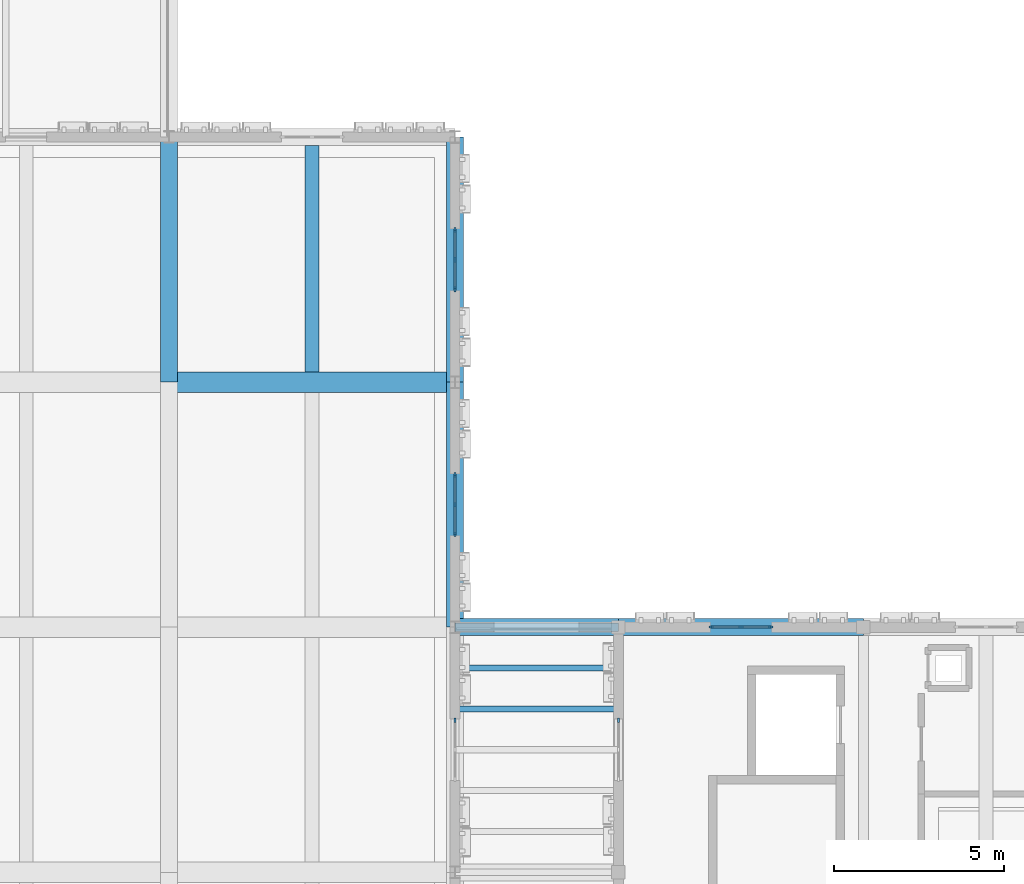
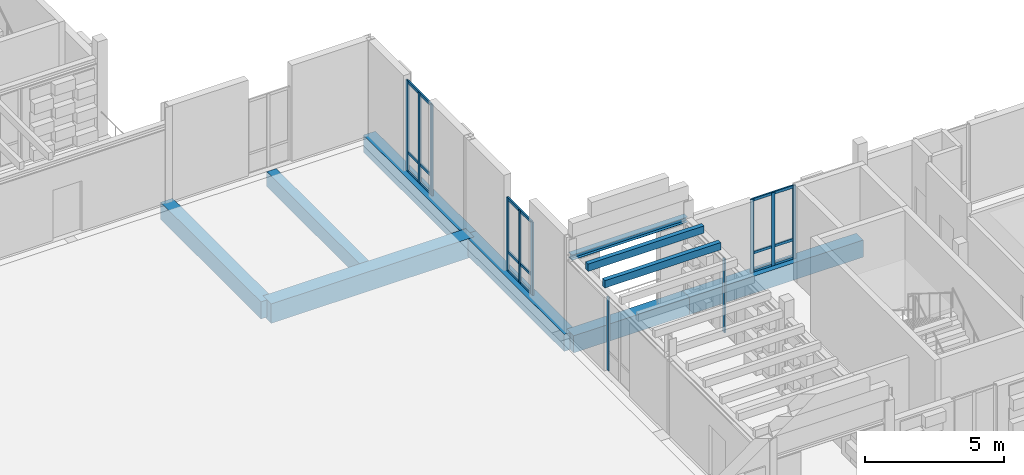
# One storey, part 15 of 99: 22 members, 8 beams, 5 elements without a shape of their own.
"""IFC4 building model written with IfcOpenShell, lengths in metres."""

from ifc_helpers import new_model, si_unit, direction, frame, origin, origin_2d, place, context, subcontext, project, spatial, rectangle, i_section, extrude, material, material_profile, profile_set, type_object, element, aggregate, save


model = new_model("IFC4")

# Units and contexts
model_context = context("Model", 3, precision=1e-05, world=origin(), true_north=direction((0.0, 1.0)))
body_context = subcontext(model_context, "Body", "Model", "MODEL_VIEW")
ifc_project = project(units=[si_unit("LENGTHUNIT", "METRE"), si_unit("AREAUNIT", "SQUARE_METRE"), si_unit("VOLUMEUNIT", "CUBIC_METRE"), si_unit("PLANEANGLEUNIT", "RADIAN"), si_unit("MASSUNIT", "GRAM", prefix="KILO")], contexts=[model_context])

# Site, building, storey
site_placement = place(None, origin())
site = spatial("IfcSite", under=ifc_project, at=site_placement, CompositionType="ELEMENT")
building_placement = place(site_placement, origin())
building = spatial("IfcBuilding", under=site, at=building_placement, Name="Kahlenmark Community Centre", CompositionType="ELEMENT")
storey_placement = place(building_placement, frame((0.0, 0.0, 5.39990234375)))
storey = spatial("IfcBuildingStorey", under=building, at=storey_placement, Name="L01", CompositionType="ELEMENT", Elevation=5.39990234375)

# Beams
ifc_material_1 = material(Name="Concrete C35/45", Category="concrete")
ifc_material_profile_1 = material_profile(ifc_material_1, rectangle(XDim=0.5, YDim=0.75, at=origin_2d()), Name="RC 500x750")
ifc_profile_set_1 = profile_set([ifc_material_profile_1], Name="Concrete C35/45")
beam_type_1 = type_object("IfcBeamType", Name="BT-BEAM-RC500x750", PredefinedType="BEAM", material=ifc_profile_set_1)
beam_1_placement = place(storey_placement, frame((37.60009765625, 30.39990234375, -0.375), z_axis=(0.0, 1.0, 0.0), x_axis=(-1.0, 0.0, 0.0)))
element("IfcBeam", 1, at=beam_1_placement, inside=storey, type_object=beam_type_1, Name="L01 beam BG-RC500x750", PredefinedType="BEAM", context=body_context, shape_type="SweptSolid", body=[
    extrude(rectangle(XDim=0.5, YDim=0.75, at=origin_2d()), origin(), (0.0, 0.0, 1.0), 7.2001953125),
])
ifc_material_profile_2 = material_profile(ifc_material_1, rectangle(XDim=0.60009765625, YDim=0.85009765625, at=origin_2d()), Name="RC 600x850")
ifc_profile_set_2 = profile_set([ifc_material_profile_2], Name="Concrete C35/45")
beam_type_2 = type_object("IfcBeamType", Name="BT-BEAM-RC600x850", PredefinedType="BEAM", material=ifc_profile_set_2)
beam_2_placement = place(storey_placement, frame((37.60009765625, 30.39990234375, -0.4248046875), z_axis=(1.0, 0.0, 0.0), x_axis=(0.0, 1.0, 0.0)))
element("IfcBeam", 2, at=beam_2_placement, inside=storey, type_object=beam_type_2, Name="L01 beam BG-RC600x850", PredefinedType="BEAM", context=body_context, shape_type="SweptSolid", body=[
    extrude(rectangle(XDim=0.60009765625, YDim=0.85009765625, at=origin_2d()), origin(), (0.0, 0.0, 1.0), 8.39990234375),
])
ifc_material_profile_3 = material_profile(ifc_material_1, rectangle(XDim=0.39990234375, YDim=0.64990234375, at=origin_2d()), Name="RC 400x650")
ifc_profile_set_3 = profile_set([ifc_material_profile_3], Name="Concrete C35/45")
beam_type_3 = type_object("IfcBeamType", Name="BT-JOIST-RC400x650", PredefinedType="JOIST", material=ifc_profile_set_3)
beam_3_placement = place(storey_placement, frame((41.800048828125, 30.697998046875, -0.324951171875), z_axis=(0.0, 1.0, 0.0), x_axis=(-1.0, 0.0, 0.0)))
element("IfcBeam", 3, at=beam_3_placement, inside=storey, type_object=beam_type_3, Name="L01 joist BJ-RC400x650", PredefinedType="JOIST", context=body_context, shape_type="SweptSolid", body=[
    extrude(rectangle(XDim=0.39990234375, YDim=0.64990234375, at=origin_2d()), origin(), (0.0, 0.0, 1.0), 6.654052734375),
])
ifc_material_2 = material(Name="Steel S355", Category="steel")
ifc_material_profile_4 = material_profile(ifc_material_2, i_section(OverallWidth=0.239990234375, OverallDepth=0.22998046875, WebThickness=0.007568359375, FlangeThickness=0.011962890625, at=origin_2d()), Name="HEA 240")
ifc_profile_set_4 = profile_set([ifc_material_profile_4], Name="Steel S355")
beam_type_4 = type_object("IfcBeamType", Name="BT-SPANDREL-HEA240", PredefinedType="SPANDREL", material=ifc_profile_set_4)
beam_4_placement = place(storey_placement, frame((46.0, 23.199951171875, 3.335205078125), z_axis=(1.0, 0.0, 0.0), x_axis=(0.0, 1.0, 0.0)))
element("IfcBeam", 4, at=beam_4_placement, inside=storey, type_object=beam_type_4, Name="L01 spandrel SP-PRG240", PredefinedType="SPANDREL", context=body_context, shape_type="SweptSolid", body=[
    extrude(i_section(OverallWidth=0.239990234375, OverallDepth=0.22998046875, WebThickness=0.007568359375, FlangeThickness=0.011962890625, at=origin_2d()), origin(), (0.0, 0.0, 1.0), 4.800048828125),
])
ifc_material_profile_5 = material_profile(ifc_material_1, rectangle(XDim=0.5, YDim=0.75, at=origin_2d()), Name="RC 500x750")
ifc_profile_set_5 = profile_set([ifc_material_profile_5], Name="Concrete C35/45")
beam_type_5 = type_object("IfcBeamType", Name="BT-SPANDREL-RC500x750", PredefinedType="SPANDREL", material=ifc_profile_set_5)
beam_5_placement = place(storey_placement, frame((46.0, 23.199951171875, -0.375), z_axis=(0.0, 1.0, 0.0), x_axis=(-1.0, 0.0, 0.0)))
element("IfcBeam", 5, at=beam_5_placement, inside=storey, type_object=beam_type_5, Name="L01 spandrel SP-RC500x750", PredefinedType="SPANDREL", context=body_context, shape_type="SweptSolid", body=[
    extrude(rectangle(XDim=0.5, YDim=0.75, at=origin_2d()), origin(), (0.0, 0.0, 1.0), 7.199951171875),
])
beam_6_placement = place(storey_placement, frame((46.0, 30.39990234375, -0.375), z_axis=(0.0, 1.0, 0.0), x_axis=(-1.0, 0.0, 0.0)))
element("IfcBeam", 6, at=beam_6_placement, inside=storey, type_object=beam_type_5, Name="L01 spandrel SP-RC500x750", PredefinedType="SPANDREL", context=body_context, shape_type="SweptSolid", body=[
    extrude(rectangle(XDim=0.5, YDim=0.75, at=origin_2d()), origin(), (0.0, 0.0, 1.0), 7.2001953125),
])
beam_7_placement = place(storey_placement, frame((50.800048828125, 23.199951171875, -0.375), z_axis=(1.0, 0.0, 0.0), x_axis=(0.0, 1.0, 0.0)))
element("IfcBeam", 7, at=beam_7_placement, inside=storey, type_object=beam_type_5, Name="L01 spandrel SP-RC500x750", PredefinedType="SPANDREL", context=body_context, shape_type="SweptSolid", body=[
    extrude(rectangle(XDim=0.5, YDim=0.75, at=origin_2d()), origin(), (0.0, 0.0, 1.0), 7.199951171875),
])
beam_8_placement = place(storey_placement, frame((46.0, 23.199951171875, -0.375), z_axis=(1.0, 0.0, 0.0), x_axis=(0.0, 1.0, 0.0)))
element("IfcBeam", 8, at=beam_8_placement, inside=storey, type_object=beam_type_5, Name="L01 spandrel SP-RC500x750", PredefinedType="SPANDREL", context=body_context, shape_type="SweptSolid", body=[
    extrude(rectangle(XDim=0.5, YDim=0.75, at=origin_2d()), origin(), (0.0, 0.0, 1.0), 4.800048828125),
])

# Curtain wall, member
ifc_material_3 = material(Name="Anodised aluminium unitised curtain wall", Category="aluminium")
curtain_wall_type_1 = type_object("IfcCurtainWallType", Name="CWT-UNIT-180X321", PredefinedType="USERDEFINED", material=ifc_material_3)
curtain_wall_1_placement = place(storey_placement, origin())
curtain_wall_1 = element("IfcCurtainWall", 9, at=curtain_wall_1_placement, inside=storey, type_object=curtain_wall_type_1, Name="Unitised curtain wall CW-006", ObjectType="UNITISED CURTAIN WALL", PredefinedType="USERDEFINED")
ifc_material_4 = material(Name="Anodised aluminium 6063-T6", Category="aluminium")
ifc_material_profile_6 = material_profile(ifc_material_4, rectangle(XDim=0.06005859375, YDim=0.139892578125, at=origin_2d()), Name="ALU MULLION 60x140")
ifc_profile_set_6 = profile_set([ifc_material_profile_6], Name="Anodised aluminium 6063-T6")
member_type_1 = type_object("IfcMemberType", Name="MT-MUL-140", PredefinedType="MULLION", material=ifc_profile_set_6)
member_1_placement = place(storey_placement, frame((46.0, 20.469970703125, 0.0), z_axis=(0.0, 0.0, 1.0), x_axis=(-1.0, 0.0, 0.0)))
member_1 = element("IfcMember", 10, at=member_1_placement, type_object=member_type_1, Name="CW-006 mullion 3", PredefinedType="MULLION", context=body_context, shape_type="SweptSolid", body=[
    extrude(rectangle(XDim=0.06005859375, YDim=0.139892578125, at=origin_2d()), origin(), (0.0, 0.0, 1.0), 3.210205078125),
])
aggregate(curtain_wall_1, [member_1])

# Curtain wall, members
curtain_wall_2_placement = place(storey_placement, origin())
curtain_wall_2 = element("IfcCurtainWall", 11, at=curtain_wall_2_placement, inside=storey, type_object=curtain_wall_type_1, Name="Unitised curtain wall CW-007", ObjectType="UNITISED CURTAIN WALL", PredefinedType="USERDEFINED")
member_2_placement = place(storey_placement, frame((46.0, 25.929931640625, 0.0), z_axis=(0.0, 0.0, 1.0), x_axis=(-1.0, 0.0, 0.0)))
member_2 = element("IfcMember", 12, at=member_2_placement, type_object=member_type_1, Name="CW-007 mullion 1", PredefinedType="MULLION", context=body_context, shape_type="SweptSolid", body=[
    extrude(rectangle(XDim=0.06005859375, YDim=0.139892578125, at=origin_2d()), origin(), (0.0, 0.0, 1.0), 3.210205078125),
])
member_3_placement = place(storey_placement, frame((46.0, 26.800048828125, 0.0), z_axis=(0.0, 0.0, 1.0), x_axis=(-1.0, 0.0, 0.0)))
member_3 = element("IfcMember", 13, at=member_3_placement, type_object=member_type_1, Name="CW-007 mullion 2", PredefinedType="MULLION", context=body_context, shape_type="SweptSolid", body=[
    extrude(rectangle(XDim=0.06005859375, YDim=0.139892578125, at=origin_2d()), origin(), (0.0, 0.0, 1.0), 3.210205078125),
])
member_4_placement = place(storey_placement, frame((46.0, 27.669921875, 0.0), z_axis=(0.0, 0.0, 1.0), x_axis=(-1.0, 0.0, 0.0)))
member_4 = element("IfcMember", 14, at=member_4_placement, type_object=member_type_1, Name="CW-007 mullion 3", PredefinedType="MULLION", context=body_context, shape_type="SweptSolid", body=[
    extrude(rectangle(XDim=0.06005859375, YDim=0.139892578125, at=origin_2d()), origin(), (0.0, 0.0, 1.0), 3.210205078125),
])

curtain_wall_3_placement = place(storey_placement, origin())
curtain_wall_3 = element("IfcCurtainWall", 15, at=curtain_wall_3_placement, inside=storey, type_object=curtain_wall_type_1, Name="Unitised curtain wall CW-023", ObjectType="UNITISED CURTAIN WALL", PredefinedType="USERDEFINED")
member_5_placement = place(storey_placement, frame((55.27001953125, 23.199951171875, 0.0), z_axis=(0.0, 0.0, 1.0), x_axis=(0.0, -1.0, 0.0)))
member_5 = element("IfcMember", 16, at=member_5_placement, type_object=member_type_1, Name="CW-023 mullion 1", PredefinedType="MULLION", context=body_context, shape_type="SweptSolid", body=[
    extrude(rectangle(XDim=0.06005859375, YDim=0.139892578125, at=origin_2d()), origin(), (0.0, 0.0, 1.0), 3.210205078125),
])
member_6_placement = place(storey_placement, frame((54.39990234375, 23.199951171875, 0.0), z_axis=(0.0, 0.0, 1.0), x_axis=(0.0, -1.0, 0.0)))
member_6 = element("IfcMember", 17, at=member_6_placement, type_object=member_type_1, Name="CW-023 mullion 2", PredefinedType="MULLION", context=body_context, shape_type="SweptSolid", body=[
    extrude(rectangle(XDim=0.06005859375, YDim=0.139892578125, at=origin_2d()), origin(), (0.0, 0.0, 1.0), 3.210205078125),
])
member_7_placement = place(storey_placement, frame((53.530029296875, 23.199951171875, 0.0), z_axis=(0.0, 0.0, 1.0), x_axis=(0.0, -1.0, 0.0)))
member_7 = element("IfcMember", 18, at=member_7_placement, type_object=member_type_1, Name="CW-023 mullion 3", PredefinedType="MULLION", context=body_context, shape_type="SweptSolid", body=[
    extrude(rectangle(XDim=0.06005859375, YDim=0.139892578125, at=origin_2d()), origin(), (0.0, 0.0, 1.0), 3.210205078125),
])

# Curtain wall, member
curtain_wall_4_placement = place(storey_placement, origin())
curtain_wall_4 = element("IfcCurtainWall", 19, at=curtain_wall_4_placement, inside=storey, type_object=curtain_wall_type_1, Name="Unitised curtain wall CW-027", ObjectType="UNITISED CURTAIN WALL", PredefinedType="USERDEFINED")
member_8_placement = place(storey_placement, frame((50.800048828125, 20.469970703125, 0.0), z_axis=(0.0, 0.0, 1.0), x_axis=(1.0, 0.0, 0.0)))
member_8 = element("IfcMember", 20, at=member_8_placement, type_object=member_type_1, Name="CW-027 mullion 1", PredefinedType="MULLION", context=body_context, shape_type="SweptSolid", body=[
    extrude(rectangle(XDim=0.06005859375, YDim=0.139892578125, at=origin_2d()), origin(), (0.0, 0.0, 1.0), 3.210205078125),
])
aggregate(curtain_wall_4, [member_8])

# Curtain wall, members
curtain_wall_type_2 = type_object("IfcCurtainWallType", Name="CWT-UNIT-180X398", PredefinedType="USERDEFINED", material=ifc_material_3)
curtain_wall_5_placement = place(storey_placement, origin())
curtain_wall_5 = element("IfcCurtainWall", 21, at=curtain_wall_5_placement, inside=storey, type_object=curtain_wall_type_2, Name="Unitised curtain wall CW-008", ObjectType="UNITISED CURTAIN WALL", PredefinedType="USERDEFINED")
ifc_material_profile_7 = material_profile(ifc_material_4, rectangle(XDim=0.06005859375, YDim=0.159912109375, at=origin_2d()), Name="ALU MULLION 60x160")
ifc_profile_set_7 = profile_set([ifc_material_profile_7], Name="Anodised aluminium 6063-T6")
member_type_2 = type_object("IfcMemberType", Name="MT-MUL-160", PredefinedType="MULLION", material=ifc_profile_set_7)
member_9_placement = place(storey_placement, frame((46.0, 33.1298828125, 0.0), z_axis=(0.0, 0.0, 1.0), x_axis=(-1.0, 0.0, 0.0)))
member_9 = element("IfcMember", 22, at=member_9_placement, type_object=member_type_2, Name="CW-008 mullion 1", PredefinedType="MULLION", context=body_context, shape_type="SweptSolid", body=[
    extrude(rectangle(XDim=0.06005859375, YDim=0.159912109375, at=origin_2d()), origin(), (0.0, 0.0, 1.0), 3.97998046875),
])
member_10_placement = place(storey_placement, frame((46.0, 34.0, 0.0), z_axis=(0.0, 0.0, 1.0), x_axis=(-1.0, 0.0, 0.0)))
member_10 = element("IfcMember", 23, at=member_10_placement, type_object=member_type_2, Name="CW-008 mullion 2", PredefinedType="MULLION", context=body_context, shape_type="SweptSolid", body=[
    extrude(rectangle(XDim=0.06005859375, YDim=0.159912109375, at=origin_2d()), origin(), (0.0, 0.0, 1.0), 3.97998046875),
])
member_11_placement = place(storey_placement, frame((46.0, 34.8701171875, 0.0), z_axis=(0.0, 0.0, 1.0), x_axis=(-1.0, 0.0, 0.0)))
member_11 = element("IfcMember", 24, at=member_11_placement, type_object=member_type_2, Name="CW-008 mullion 3", PredefinedType="MULLION", context=body_context, shape_type="SweptSolid", body=[
    extrude(rectangle(XDim=0.06005859375, YDim=0.159912109375, at=origin_2d()), origin(), (0.0, 0.0, 1.0), 3.97998046875),
])

# Members
ifc_material_5 = material(Name="Glulam GL28h", Category="wood")
ifc_material_profile_8 = material_profile(ifc_material_5, rectangle(XDim=0.179931640625, YDim=0.320068359375, at=origin_2d()), Name="GL28h 180x320")
ifc_profile_set_8 = profile_set([ifc_material_profile_8], Name="Glulam GL28h")
member_type_3 = type_object("IfcMemberType", Name="MT-RAFTER-GL28h180x320", PredefinedType="RAFTER", material=ifc_profile_set_8)
for number, where, z_axis, x_axis, name in (
    (25, (46.0, 20.800048828125, 3.610107421875), (1.0, 0.0, 0.0), (0.0, 1.0, 0.0), "L01 rafter PRG-RAF"),
    (26, (46.0, 22.0, 3.610107421875), (1.0, 0.0, 0.0), (0.0, 1.0, 0.0), "L01 rafter PRG-RAF"),
):
    element("IfcMember", number, at=place(storey_placement, frame(where, z_axis=z_axis, x_axis=x_axis)), inside=storey, type_object=member_type_3, Name=name, PredefinedType="RAFTER", context=body_context, shape_type="SweptSolid", body=[
        extrude(rectangle(XDim=0.179931640625, YDim=0.320068359375, at=origin_2d()), origin(), (0.0, 0.0, 1.0), 4.800048828125),
    ])

# Member
ifc_material_profile_9 = material_profile(ifc_material_4, rectangle(XDim=0.06005859375, YDim=0.1201171875, at=origin_2d()), Name="ALU TRANSOM 60x120")
ifc_profile_set_9 = profile_set([ifc_material_profile_9], Name="Anodised aluminium 6063-T6")
member_type_4 = type_object("IfcMemberType", Name="MT-TRN-120", PredefinedType="USERDEFINED", material=ifc_profile_set_9)
member_12_placement = place(storey_placement, frame((46.0, 25.929931640625, 0.0400390625), z_axis=(0.0, 1.0, 0.0), x_axis=(-1.0, 0.0, 0.0)))
member_12 = element("IfcMember", 27, at=member_12_placement, type_object=member_type_4, Name="CW-007 transom 1", ObjectType="TRANSOM", PredefinedType="USERDEFINED", context=body_context, shape_type="SweptSolid", body=[
    extrude(rectangle(XDim=0.06005859375, YDim=0.1201171875, at=origin_2d()), origin(), (0.0, 0.0, 1.0), 1.739990234375),
])

member_13_placement = place(storey_placement, frame((46.0, 25.929931640625, 0.85009765625), z_axis=(0.0, 1.0, 0.0), x_axis=(-1.0, 0.0, 0.0)))
member_13 = element("IfcMember", 28, at=member_13_placement, type_object=member_type_4, Name="CW-007 transom 2", ObjectType="TRANSOM", PredefinedType="USERDEFINED", context=body_context, shape_type="SweptSolid", body=[
    extrude(rectangle(XDim=0.06005859375, YDim=0.1201171875, at=origin_2d()), origin(), (0.0, 0.0, 1.0), 1.739990234375),
])

member_14_placement = place(storey_placement, frame((46.0, 25.929931640625, 3.170166015625), z_axis=(0.0, 1.0, 0.0), x_axis=(-1.0, 0.0, 0.0)))
member_14 = element("IfcMember", 29, at=member_14_placement, type_object=member_type_4, Name="CW-007 transom 3", ObjectType="TRANSOM", PredefinedType="USERDEFINED", context=body_context, shape_type="SweptSolid", body=[
    extrude(rectangle(XDim=0.06005859375, YDim=0.1201171875, at=origin_2d()), origin(), (0.0, 0.0, 1.0), 1.739990234375),
])

aggregate(curtain_wall_2, [member_2, member_3, member_4, member_12, member_13, member_14])

member_15_placement = place(storey_placement, frame((46.0, 33.1298828125, 0.0400390625), z_axis=(0.0, 1.0, 0.0), x_axis=(-1.0, 0.0, 0.0)))
member_15 = element("IfcMember", 30, at=member_15_placement, type_object=member_type_4, Name="CW-008 transom 1", ObjectType="TRANSOM", PredefinedType="USERDEFINED", context=body_context, shape_type="SweptSolid", body=[
    extrude(rectangle(XDim=0.06005859375, YDim=0.1201171875, at=origin_2d()), origin(), (0.0, 0.0, 1.0), 1.740234375),
])

member_16_placement = place(storey_placement, frame((46.0, 33.1298828125, 0.85009765625), z_axis=(0.0, 1.0, 0.0), x_axis=(-1.0, 0.0, 0.0)))
member_16 = element("IfcMember", 31, at=member_16_placement, type_object=member_type_4, Name="CW-008 transom 2", ObjectType="TRANSOM", PredefinedType="USERDEFINED", context=body_context, shape_type="SweptSolid", body=[
    extrude(rectangle(XDim=0.06005859375, YDim=0.1201171875, at=origin_2d()), origin(), (0.0, 0.0, 1.0), 1.740234375),
])

member_17_placement = place(storey_placement, frame((46.0, 33.1298828125, 3.940185546875), z_axis=(0.0, 1.0, 0.0), x_axis=(-1.0, 0.0, 0.0)))
member_17 = element("IfcMember", 32, at=member_17_placement, type_object=member_type_4, Name="CW-008 transom 3", ObjectType="TRANSOM", PredefinedType="USERDEFINED", context=body_context, shape_type="SweptSolid", body=[
    extrude(rectangle(XDim=0.06005859375, YDim=0.1201171875, at=origin_2d()), origin(), (0.0, 0.0, 1.0), 1.740234375),
])

aggregate(curtain_wall_5, [member_9, member_10, member_11, member_15, member_16, member_17])

member_18_placement = place(storey_placement, frame((55.27001953125, 23.199951171875, 0.0400390625), z_axis=(-1.0, 0.0, 0.0), x_axis=(0.0, -1.0, 0.0)))
member_18 = element("IfcMember", 33, at=member_18_placement, type_object=member_type_4, Name="CW-023 transom 1", ObjectType="TRANSOM", PredefinedType="USERDEFINED", context=body_context, shape_type="SweptSolid", body=[
    extrude(rectangle(XDim=0.06005859375, YDim=0.1201171875, at=origin_2d()), origin(), (0.0, 0.0, 1.0), 1.739990234375),
])

member_19_placement = place(storey_placement, frame((55.27001953125, 23.199951171875, 0.85009765625), z_axis=(-1.0, 0.0, 0.0), x_axis=(0.0, -1.0, 0.0)))
member_19 = element("IfcMember", 34, at=member_19_placement, type_object=member_type_4, Name="CW-023 transom 2", ObjectType="TRANSOM", PredefinedType="USERDEFINED", context=body_context, shape_type="SweptSolid", body=[
    extrude(rectangle(XDim=0.06005859375, YDim=0.1201171875, at=origin_2d()), origin(), (0.0, 0.0, 1.0), 1.739990234375),
])

member_20_placement = place(storey_placement, frame((55.27001953125, 23.199951171875, 3.170166015625), z_axis=(-1.0, 0.0, 0.0), x_axis=(0.0, -1.0, 0.0)))
member_20 = element("IfcMember", 35, at=member_20_placement, type_object=member_type_4, Name="CW-023 transom 3", ObjectType="TRANSOM", PredefinedType="USERDEFINED", context=body_context, shape_type="SweptSolid", body=[
    extrude(rectangle(XDim=0.06005859375, YDim=0.1201171875, at=origin_2d()), origin(), (0.0, 0.0, 1.0), 1.739990234375),
])

aggregate(curtain_wall_3, [member_5, member_6, member_7, member_18, member_19, member_20])

save(model, "model.ifc")
